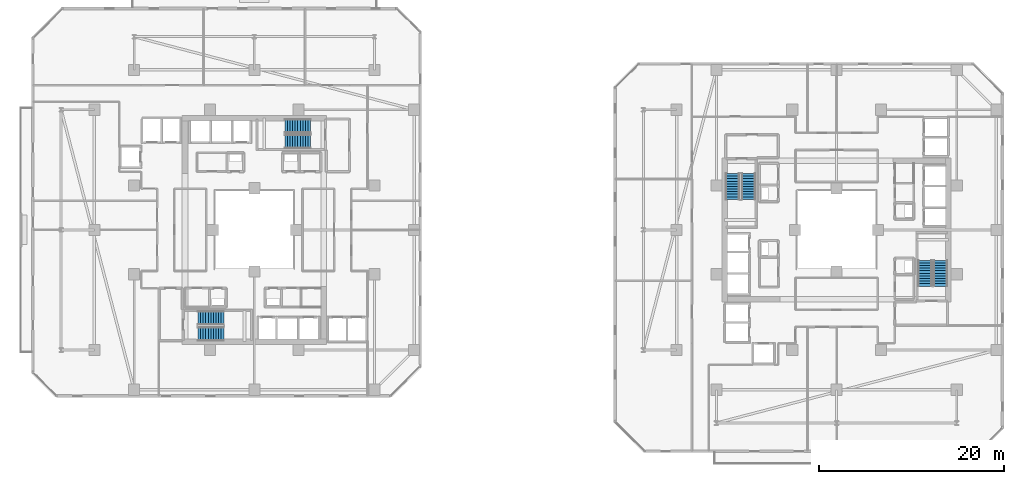
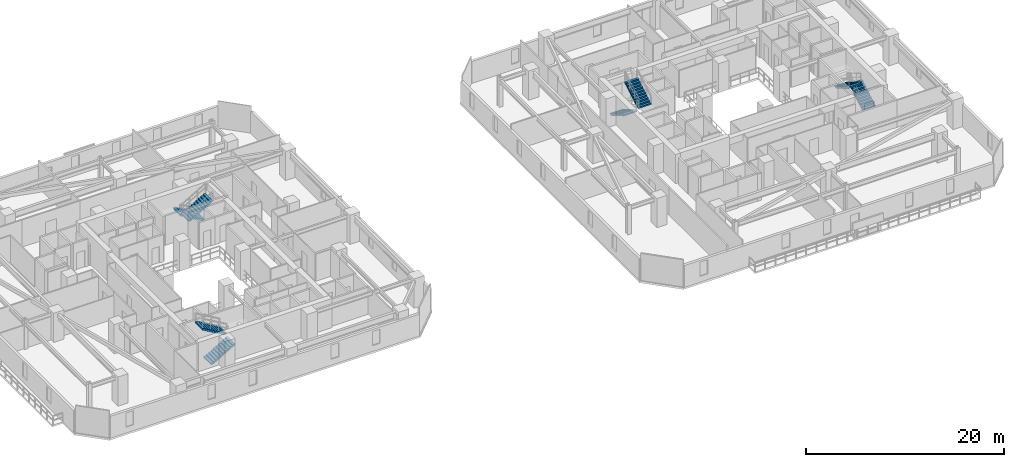
# One storey, part 27 of 33: 8 stair flights, 4 elements without a shape of their own.
"""IFC4 building model written with IfcOpenShell, lengths in metres."""

import ifcopenshell
import ifcopenshell.guid

model = None  # the IFC model being written
_history = None  # IfcOwnerHistory: only IFC2X3 demands one
_inside = {}  # id of a spatial element -> (the spatial element, [elements in it])
_under = {}  # id of a project, library or spatial element -> (it, [spatial elements below it])
_declared = {}  # id of a project -> (the project, [libraries it declares])
_typed = {}  # id of a type object -> (the type object, [elements of that type])
_made_of = {}  # id of a material, layer set ... -> (it, [elements and type objects made of it])


def new_model(schema):
    """Start an empty IFC model of exactly this schema.

    Asked for "IFC4X3", IfcOpenShell would pick the latest addendum, in which some entities
    have other attributes; the version numbers below select the first issue.
    IFC2X3 requires an IfcOwnerHistory on every rooted entity: one is made here for all.
    """
    global model, _history
    if schema == "IFC4X3":
        model = ifcopenshell.file(schema_version=(4, 3, 0, 0))
    else:
        model = ifcopenshell.file(schema=schema)
    _inside.clear()
    _under.clear()
    _declared.clear()
    _typed.clear()
    _made_of.clear()
    _history = None
    if model.schema == "IFC2X3":
        org = make("IfcOrganization", Name="unknown")
        user = make(
            "IfcPersonAndOrganization",
            ThePerson=make("IfcPerson", FamilyName="unknown"),
            TheOrganization=org,
        )
        app = make(
            "IfcApplication",
            ApplicationDeveloper=org,
            Version="unknown",
            ApplicationFullName="unknown",
            ApplicationIdentifier="unknown",
        )
        _history = make(
            "IfcOwnerHistory",
            OwningUser=user,
            OwningApplication=app,
            ChangeAction="ADDED",
            CreationDate=0,
        )
    return model


def make(cls, **values):
    """One entity of the class cls with the attributes given. An attribute that is None is left unset."""
    return model.create_entity(
        cls, **{name: value for name, value in values.items() if value is not None}
    )


def rooted(cls, **values):
    """An entity with a GlobalId (a new one), such as an element, a storey or a relation."""
    return make(cls, GlobalId=ifcopenshell.guid.new(), OwnerHistory=_history, **values)


def si_unit(unit_type, name, prefix=None):
    """IfcSIUnit, for example si_unit("LENGTHUNIT", "METRE", prefix="MILLI")."""
    return make("IfcSIUnit", UnitType=unit_type, Prefix=prefix, Name=name)


def assignment(units):
    """IfcUnitAssignment: the units of a project."""
    return None if units is None else make("IfcUnitAssignment", Units=units)


def point(xyz):
    """IfcCartesianPoint."""
    return None if xyz is None else make("IfcCartesianPoint", Coordinates=xyz)


def direction(xyz):
    """IfcDirection."""
    return None if xyz is None else make("IfcDirection", DirectionRatios=xyz)


def frame(location, z_axis=None, x_axis=None):
    """IfcAxis2Placement3D, a coordinate frame: its origin and axes. An axis left out is left unset."""
    return make(
        "IfcAxis2Placement3D",
        Location=point(location),
        Axis=direction(z_axis),
        RefDirection=direction(x_axis),
    )


def origin():
    """The frame at (0, 0, 0) with its axes left unset."""
    return frame((0.0, 0.0, 0.0))


def place(relative_to, where):
    """IfcLocalPlacement: puts the frame where relative to a parent placement (None: the world)."""
    return make(
        "IfcLocalPlacement", PlacementRelTo=relative_to, RelativePlacement=where
    )


def context(
    kind, dimensions, precision=None, world=None, true_north=None, identifier=None
):
    """IfcGeometricRepresentationContext, for example the 3D "Model" context."""
    return make(
        "IfcGeometricRepresentationContext",
        ContextIdentifier=identifier,
        ContextType=kind,
        CoordinateSpaceDimension=dimensions,
        Precision=precision,
        WorldCoordinateSystem=world,
        TrueNorth=true_north,
    )


def subcontext(parent, identifier, kind, view, scale=None):
    """IfcGeometricRepresentationSubContext, for example "Body" below "Model"."""
    return make(
        "IfcGeometricRepresentationSubContext",
        ContextIdentifier=identifier,
        ContextType=kind,
        ParentContext=parent,
        TargetScale=scale,
        TargetView=view,
    )


def project(units=None, contexts=None):
    """IfcProject with its units and contexts."""
    return rooted(
        "IfcProject",
        Name="project",
        RepresentationContexts=contexts,
        UnitsInContext=assignment(units),
    )


def spatial(cls, under=None, at=None, **own):
    """A site, building, storey or space (cls), placed at a placement, below another one or the project."""
    s = rooted(cls, ObjectPlacement=at, **own)
    if under is not None:
        _under.setdefault(under.id(), (under, []))[1].append(s)
    return s


def polyline(points):
    """IfcPolyline through the points."""
    return make("IfcPolyline", Points=[point(p) for p in points])


def outline(outer, holes=None, kind="AREA"):
    """IfcArbitraryClosedProfileDef: a profile drawn as a closed curve; with holes, ...WithVoids."""
    if holes is None:
        return make("IfcArbitraryClosedProfileDef", ProfileType=kind, OuterCurve=outer)
    return make(
        "IfcArbitraryProfileDefWithVoids",
        ProfileType=kind,
        OuterCurve=outer,
        InnerCurves=holes,
    )


def extrude(swept, where, along, depth):
    """IfcExtrudedAreaSolid: the profile swept, set in the frame where, extruded along a direction by depth."""
    return make(
        "IfcExtrudedAreaSolid",
        SweptArea=swept,
        Position=where,
        ExtrudedDirection=direction(along),
        Depth=depth,
    )


def shape(context_of_items, identifier, shape_type, items):
    """IfcShapeRepresentation: the items that make up one representation, for example the "Body"."""
    return make(
        "IfcShapeRepresentation",
        ContextOfItems=context_of_items,
        RepresentationIdentifier=identifier,
        RepresentationType=shape_type,
        Items=items,
    )


def material(Name=None, Category=None):
    """IfcMaterial."""
    return make("IfcMaterial", Name=Name, Category=Category)


def made_of(thing, what):
    """Note that an element or type object is made of a material, layer set ...; save() writes the relation."""
    if what is not None:
        _made_of.setdefault(what.id(), (what, []))[1].append(thing)
    return thing


def type_object(cls, material=None, **own):
    """A type object (cls), such as IfcWallType, which elements share."""
    return made_of(rooted(cls, **own), material)


def element(
    cls,
    number,
    at=None,
    inside=None,
    cuts=None,
    type_object=None,
    material=None,
    context=None,
    identifier="Body",
    shape_type=None,
    held_by="IfcProductDefinitionShape",
    body=None,
    shapes=None,
    **own,
):
    """One element of the class cls, such as IfcWall. Its Tag is "e" and its number.

    at: its placement. inside: the storey or other place that contains it. cuts: it is an
    opening in that element (IfcRelVoidsElement). A single representation is given by context,
    identifier, shape_type and body (its items); several are given by shapes. held_by: the class
    of the entity that holds the representations. save() writes the other relations.
    """
    e = rooted(cls, Tag="e%d" % number, ObjectPlacement=at, **own)
    if body is not None:
        shapes = [shape(context, identifier, shape_type, body)]
    if shapes is not None:
        e.Representation = make(held_by, Representations=shapes)
    if inside is not None:
        _inside.setdefault(inside.id(), (inside, []))[1].append(e)
    if cuts is not None:
        rooted(
            "IfcRelVoidsElement", RelatingBuildingElement=cuts, RelatedOpeningElement=e
        )
    if type_object is not None:
        _typed.setdefault(type_object.id(), (type_object, []))[1].append(e)
    return made_of(e, material)


def aggregate(whole, parts):
    """IfcRelAggregates: a whole, such as a stair, and the parts it consists of."""
    return rooted("IfcRelAggregates", RelatingObject=whole, RelatedObjects=parts)


def save(model, path):
    """Write the relations noted so far, then the file.

    IfcRelAggregates (storeys below a building ...), IfcRelContainedInSpatialStructure (elements
    in a storey), IfcRelDefinesByType, IfcRelAssociatesMaterial and IfcRelDeclares: one each for
    every whole, place, type object, material and project.
    """
    for whole, parts in _under.values():
        aggregate(whole, parts)
    for where, things in _inside.values():
        rooted(
            "IfcRelContainedInSpatialStructure",
            RelatedElements=things,
            RelatingStructure=where,
        )
    for kind, things in _typed.values():
        rooted("IfcRelDefinesByType", RelatedObjects=things, RelatingType=kind)
    for what, things in _made_of.values():
        rooted("IfcRelAssociatesMaterial", RelatedObjects=things, RelatingMaterial=what)
    for by, libraries in _declared.values():
        rooted("IfcRelDeclares", RelatingContext=by, RelatedDefinitions=libraries)
    model.write(path)


model = new_model("IFC4")

# Units and contexts
model_context = context("Model", 3, precision=1e-05, world=origin(), true_north=direction((0.0, 1.0)))
body_context = subcontext(model_context, "Body", "Model", "MODEL_VIEW")
ifc_project = project(units=[si_unit("LENGTHUNIT", "METRE"), si_unit("AREAUNIT", "SQUARE_METRE"), si_unit("VOLUMEUNIT", "CUBIC_METRE"), si_unit("PLANEANGLEUNIT", "RADIAN"), si_unit("MASSUNIT", "GRAM", prefix="KILO")], contexts=[model_context])

# Site, building, storey
site_placement = place(None, origin())
site = spatial("IfcSite", under=ifc_project, at=site_placement, CompositionType="ELEMENT")
building_placement = place(site_placement, origin())
building = spatial("IfcBuilding", under=site, at=building_placement, Name="Thornwick Lancets Civic Towers", CompositionType="ELEMENT")
storey_placement = place(building_placement, frame((0.0, 0.0, 108.89990234375)))
storey = spatial("IfcBuildingStorey", under=building, at=storey_placement, Name="L28", CompositionType="ELEMENT", Elevation=108.89990234375)

# Stair, stair flights
ifc_material = material(Name="Concrete C40/50", Category="concrete")
stair_type = type_object("IfcStairType", Name="STAIR_DL_3600", PredefinedType="HALF_TURN_STAIR", material=ifc_material)
stair_1_placement = place(storey_placement, origin())
stair_1 = element("IfcStair", 1, at=stair_1_placement, inside=storey, type_object=stair_type, Name="L28 Tower A South Exit Stair ST-A1", PredefinedType="HALF_TURN_STAIR")
stair_flight_type = type_object("IfcStairFlightType", Name="FLIGHT_3600", PredefinedType="STRAIGHT", material=ifc_material)
stair_flight_1_placement = place(storey_placement, frame((19.39990234375, 15.75, 0.0), z_axis=(0.0, 0.0, 1.0), x_axis=(1.0, 0.0, 0.0)))
stair_flight_1 = element("IfcStairFlight", 2, at=stair_flight_1_placement, type_object=stair_flight_type, Name="ST-A1 flight 1", NumberOfRisers=11, NumberOfTreads=10, PredefinedType="STRAIGHT", RiserHeight=0.163636364, TreadLength=0.28, context=body_context, shape_type="SweptSolid", body=[
    extrude(outline(polyline([(0.0, 0.0), (0.0, 0.16357421875), (0.280029296875, 0.16357421875), (0.280029296875, 0.327392578125), (0.56005859375, 0.327392578125), (0.56005859375, 0.490966796875), (0.840087890625, 0.490966796875), (0.840087890625, 0.654541015625), (1.1201171875, 0.654541015625), (1.1201171875, 0.818115234375), (1.39990234375, 0.818115234375), (1.39990234375, 0.98193359375), (1.679931640625, 0.98193359375), (1.679931640625, 1.1455078125), (1.9599609375, 1.1455078125), (1.9599609375, 1.30908203125), (2.239990234375, 1.30908203125), (2.239990234375, 1.47265625), (2.52001953125, 1.47265625), (2.52001953125, 1.636474609375), (2.800048828125, 1.636474609375), (2.800048828125, 1.800048828125), (2.800048828125, 1.462646484375), (0.297119140625, 0.0), (0.0, 0.0)])), frame((0.0, 0.75, 0.0), z_axis=(0.0, -1.0, 0.0), x_axis=(1.0, 0.0, 0.0)), (0.0, 0.0, 1.0), 1.5),
])
stair_flight_2_placement = place(storey_placement, frame((22.199951171875, 17.449951171875, 1.800048828125), z_axis=(0.0, 0.0, 1.0), x_axis=(-1.0, 0.0, 0.0)))
stair_flight_2 = element("IfcStairFlight", 3, at=stair_flight_2_placement, type_object=stair_flight_type, Name="ST-A1 flight 2", NumberOfRisers=11, NumberOfTreads=10, PredefinedType="STRAIGHT", RiserHeight=0.163636364, TreadLength=0.28, context=body_context, shape_type="SweptSolid", body=[
    extrude(outline(polyline([(0.0, 0.0), (0.0, 0.16357421875), (0.280029296875, 0.16357421875), (0.280029296875, 0.327392578125), (0.56005859375, 0.327392578125), (0.56005859375, 0.490966796875), (0.840087890625, 0.490966796875), (0.840087890625, 0.654541015625), (1.1201171875, 0.654541015625), (1.1201171875, 0.818115234375), (1.39990234375, 0.818115234375), (1.39990234375, 0.98193359375), (1.679931640625, 0.98193359375), (1.679931640625, 1.1455078125), (1.9599609375, 1.1455078125), (1.9599609375, 1.30908203125), (2.239990234375, 1.30908203125), (2.239990234375, 1.47265625), (2.52001953125, 1.47265625), (2.52001953125, 1.636474609375), (2.800048828125, 1.636474609375), (2.800048828125, 1.800048828125), (2.800048828125, 1.462646484375), (0.297119140625, 0.0), (0.0, 0.0)])), frame((0.0, 0.75, 0.0), z_axis=(0.0, -1.0, 0.0), x_axis=(1.0, 0.0, 0.0)), (0.0, 0.0, 1.0), 1.5),
])
aggregate(stair_1, [stair_flight_1, stair_flight_2])

stair_2_placement = place(storey_placement, origin())
stair_2 = element("IfcStair", 4, at=stair_2_placement, inside=storey, type_object=stair_type, Name="L28 Tower A North Exit Stair ST-A2", PredefinedType="HALF_TURN_STAIR")
stair_flight_3_placement = place(storey_placement, frame((31.60009765625, 38.25, 0.0), z_axis=(0.0, 0.0, 1.0), x_axis=(-1.0, 0.0, 0.0)))
stair_flight_3 = element("IfcStairFlight", 5, at=stair_flight_3_placement, type_object=stair_flight_type, Name="ST-A2 flight 1", NumberOfRisers=11, NumberOfTreads=10, PredefinedType="STRAIGHT", RiserHeight=0.163636364, TreadLength=0.28, context=body_context, shape_type="SweptSolid", body=[
    extrude(outline(polyline([(0.0, 0.0), (0.0, 0.16357421875), (0.280029296875, 0.16357421875), (0.280029296875, 0.327392578125), (0.56005859375, 0.327392578125), (0.56005859375, 0.490966796875), (0.840087890625, 0.490966796875), (0.840087890625, 0.654541015625), (1.1201171875, 0.654541015625), (1.1201171875, 0.818115234375), (1.39990234375, 0.818115234375), (1.39990234375, 0.98193359375), (1.679931640625, 0.98193359375), (1.679931640625, 1.1455078125), (1.9599609375, 1.1455078125), (1.9599609375, 1.30908203125), (2.239990234375, 1.30908203125), (2.239990234375, 1.47265625), (2.52001953125, 1.47265625), (2.52001953125, 1.636474609375), (2.800048828125, 1.636474609375), (2.800048828125, 1.800048828125), (2.800048828125, 1.462646484375), (0.297119140625, 0.0), (0.0, 0.0)])), frame((0.0, 0.75, 0.0), z_axis=(0.0, -1.0, 0.0), x_axis=(1.0, 0.0, 0.0)), (0.0, 0.0, 1.0), 1.5),
])
stair_flight_4_placement = place(storey_placement, frame((28.800048828125, 36.550048828125, 1.800048828125), z_axis=(0.0, 0.0, 1.0), x_axis=(1.0, 0.0, 0.0)))
stair_flight_4 = element("IfcStairFlight", 6, at=stair_flight_4_placement, type_object=stair_flight_type, Name="ST-A2 flight 2", NumberOfRisers=11, NumberOfTreads=10, PredefinedType="STRAIGHT", RiserHeight=0.163636364, TreadLength=0.28, context=body_context, shape_type="SweptSolid", body=[
    extrude(outline(polyline([(0.0, 0.0), (0.0, 0.16357421875), (0.280029296875, 0.16357421875), (0.280029296875, 0.327392578125), (0.56005859375, 0.327392578125), (0.56005859375, 0.490966796875), (0.840087890625, 0.490966796875), (0.840087890625, 0.654541015625), (1.1201171875, 0.654541015625), (1.1201171875, 0.818115234375), (1.39990234375, 0.818115234375), (1.39990234375, 0.98193359375), (1.679931640625, 0.98193359375), (1.679931640625, 1.1455078125), (1.9599609375, 1.1455078125), (1.9599609375, 1.30908203125), (2.239990234375, 1.30908203125), (2.239990234375, 1.47265625), (2.52001953125, 1.47265625), (2.52001953125, 1.636474609375), (2.800048828125, 1.636474609375), (2.800048828125, 1.800048828125), (2.800048828125, 1.462646484375), (0.297119140625, 0.0), (0.0, 0.0)])), frame((0.0, 0.75, 0.0), z_axis=(0.0, -1.0, 0.0), x_axis=(1.0, 0.0, 0.0)), (0.0, 0.0, 1.0), 1.5),
])
aggregate(stair_2, [stair_flight_3, stair_flight_4])

stair_3_placement = place(storey_placement, origin())
stair_3 = element("IfcStair", 7, at=stair_3_placement, inside=storey, type_object=stair_type, Name="L28 Tower B East Exit Stair ST-B1", PredefinedType="HALF_TURN_STAIR")
stair_flight_5_placement = place(storey_placement, frame((99.75, 20.89990234375, 0.0), z_axis=(0.0, 0.0, 1.0), x_axis=(0.0, 1.0, 0.0)))
stair_flight_5 = element("IfcStairFlight", 8, at=stair_flight_5_placement, type_object=stair_flight_type, Name="ST-B1 flight 1", NumberOfRisers=11, NumberOfTreads=10, PredefinedType="STRAIGHT", RiserHeight=0.163636364, TreadLength=0.28, context=body_context, shape_type="SweptSolid", body=[
    extrude(outline(polyline([(0.0, 0.0), (0.0, 0.16357421875), (0.280029296875, 0.16357421875), (0.280029296875, 0.327392578125), (0.56005859375, 0.327392578125), (0.56005859375, 0.490966796875), (0.840087890625, 0.490966796875), (0.840087890625, 0.654541015625), (1.1201171875, 0.654541015625), (1.1201171875, 0.818115234375), (1.39990234375, 0.818115234375), (1.39990234375, 0.98193359375), (1.679931640625, 0.98193359375), (1.679931640625, 1.1455078125), (1.9599609375, 1.1455078125), (1.9599609375, 1.30908203125), (2.239990234375, 1.30908203125), (2.239990234375, 1.47265625), (2.52001953125, 1.47265625), (2.52001953125, 1.636474609375), (2.800048828125, 1.636474609375), (2.800048828125, 1.800048828125), (2.800048828125, 1.462646484375), (0.297119140625, 0.0), (0.0, 0.0)])), frame((0.0, 0.75, 0.0), z_axis=(0.0, -1.0, 0.0), x_axis=(1.0, 0.0, 0.0)), (0.0, 0.0, 1.0), 1.5),
])
stair_flight_6_placement = place(storey_placement, frame((98.050048828125, 23.699951171875, 1.800048828125), z_axis=(0.0, 0.0, 1.0), x_axis=(0.0, -1.0, 0.0)))
stair_flight_6 = element("IfcStairFlight", 9, at=stair_flight_6_placement, type_object=stair_flight_type, Name="ST-B1 flight 2", NumberOfRisers=11, NumberOfTreads=10, PredefinedType="STRAIGHT", RiserHeight=0.163636364, TreadLength=0.28, context=body_context, shape_type="SweptSolid", body=[
    extrude(outline(polyline([(0.0, 0.0), (0.0, 0.16357421875), (0.280029296875, 0.16357421875), (0.280029296875, 0.327392578125), (0.56005859375, 0.327392578125), (0.56005859375, 0.490966796875), (0.840087890625, 0.490966796875), (0.840087890625, 0.654541015625), (1.1201171875, 0.654541015625), (1.1201171875, 0.818115234375), (1.39990234375, 0.818115234375), (1.39990234375, 0.98193359375), (1.679931640625, 0.98193359375), (1.679931640625, 1.1455078125), (1.9599609375, 1.1455078125), (1.9599609375, 1.30908203125), (2.239990234375, 1.30908203125), (2.239990234375, 1.47265625), (2.52001953125, 1.47265625), (2.52001953125, 1.636474609375), (2.800048828125, 1.636474609375), (2.800048828125, 1.800048828125), (2.800048828125, 1.462646484375), (0.297119140625, 0.0), (0.0, 0.0)])), frame((0.0, 0.75, 0.0), z_axis=(0.0, -1.0, 0.0), x_axis=(1.0, 0.0, 0.0)), (0.0, 0.0, 1.0), 1.5),
])
aggregate(stair_3, [stair_flight_5, stair_flight_6])

stair_4_placement = place(storey_placement, origin())
stair_4 = element("IfcStair", 10, at=stair_4_placement, inside=storey, type_object=stair_type, Name="L28 Tower B West Exit Stair ST-B2", PredefinedType="HALF_TURN_STAIR")
stair_flight_7_placement = place(storey_placement, frame((77.25, 33.10009765625, 0.0), z_axis=(0.0, 0.0, 1.0), x_axis=(0.0, -1.0, 0.0)))
stair_flight_7 = element("IfcStairFlight", 11, at=stair_flight_7_placement, type_object=stair_flight_type, Name="ST-B2 flight 1", NumberOfRisers=11, NumberOfTreads=10, PredefinedType="STRAIGHT", RiserHeight=0.163636364, TreadLength=0.28, context=body_context, shape_type="SweptSolid", body=[
    extrude(outline(polyline([(0.0, 0.0), (0.0, 0.16357421875), (0.280029296875, 0.16357421875), (0.280029296875, 0.327392578125), (0.56005859375, 0.327392578125), (0.56005859375, 0.490966796875), (0.840087890625, 0.490966796875), (0.840087890625, 0.654541015625), (1.1201171875, 0.654541015625), (1.1201171875, 0.818115234375), (1.39990234375, 0.818115234375), (1.39990234375, 0.98193359375), (1.679931640625, 0.98193359375), (1.679931640625, 1.1455078125), (1.9599609375, 1.1455078125), (1.9599609375, 1.30908203125), (2.239990234375, 1.30908203125), (2.239990234375, 1.47265625), (2.52001953125, 1.47265625), (2.52001953125, 1.636474609375), (2.800048828125, 1.636474609375), (2.800048828125, 1.800048828125), (2.800048828125, 1.462646484375), (0.297119140625, 0.0), (0.0, 0.0)])), frame((0.0, 0.75, 0.0), z_axis=(0.0, -1.0, 0.0), x_axis=(1.0, 0.0, 0.0)), (0.0, 0.0, 1.0), 1.5),
])
stair_flight_8_placement = place(storey_placement, frame((78.949951171875, 30.300048828125, 1.800048828125), z_axis=(0.0, 0.0, 1.0), x_axis=(0.0, 1.0, 0.0)))
stair_flight_8 = element("IfcStairFlight", 12, at=stair_flight_8_placement, type_object=stair_flight_type, Name="ST-B2 flight 2", NumberOfRisers=11, NumberOfTreads=10, PredefinedType="STRAIGHT", RiserHeight=0.163636364, TreadLength=0.28, context=body_context, shape_type="SweptSolid", body=[
    extrude(outline(polyline([(0.0, 0.0), (0.0, 0.16357421875), (0.280029296875, 0.16357421875), (0.280029296875, 0.327392578125), (0.56005859375, 0.327392578125), (0.56005859375, 0.490966796875), (0.840087890625, 0.490966796875), (0.840087890625, 0.654541015625), (1.1201171875, 0.654541015625), (1.1201171875, 0.818115234375), (1.39990234375, 0.818115234375), (1.39990234375, 0.98193359375), (1.679931640625, 0.98193359375), (1.679931640625, 1.1455078125), (1.9599609375, 1.1455078125), (1.9599609375, 1.30908203125), (2.239990234375, 1.30908203125), (2.239990234375, 1.47265625), (2.52001953125, 1.47265625), (2.52001953125, 1.636474609375), (2.800048828125, 1.636474609375), (2.800048828125, 1.800048828125), (2.800048828125, 1.462646484375), (0.297119140625, 0.0), (0.0, 0.0)])), frame((0.0, 0.75, 0.0), z_axis=(0.0, -1.0, 0.0), x_axis=(1.0, 0.0, 0.0)), (0.0, 0.0, 1.0), 1.5),
])
aggregate(stair_4, [stair_flight_7, stair_flight_8])

save(model, "model.ifc")
